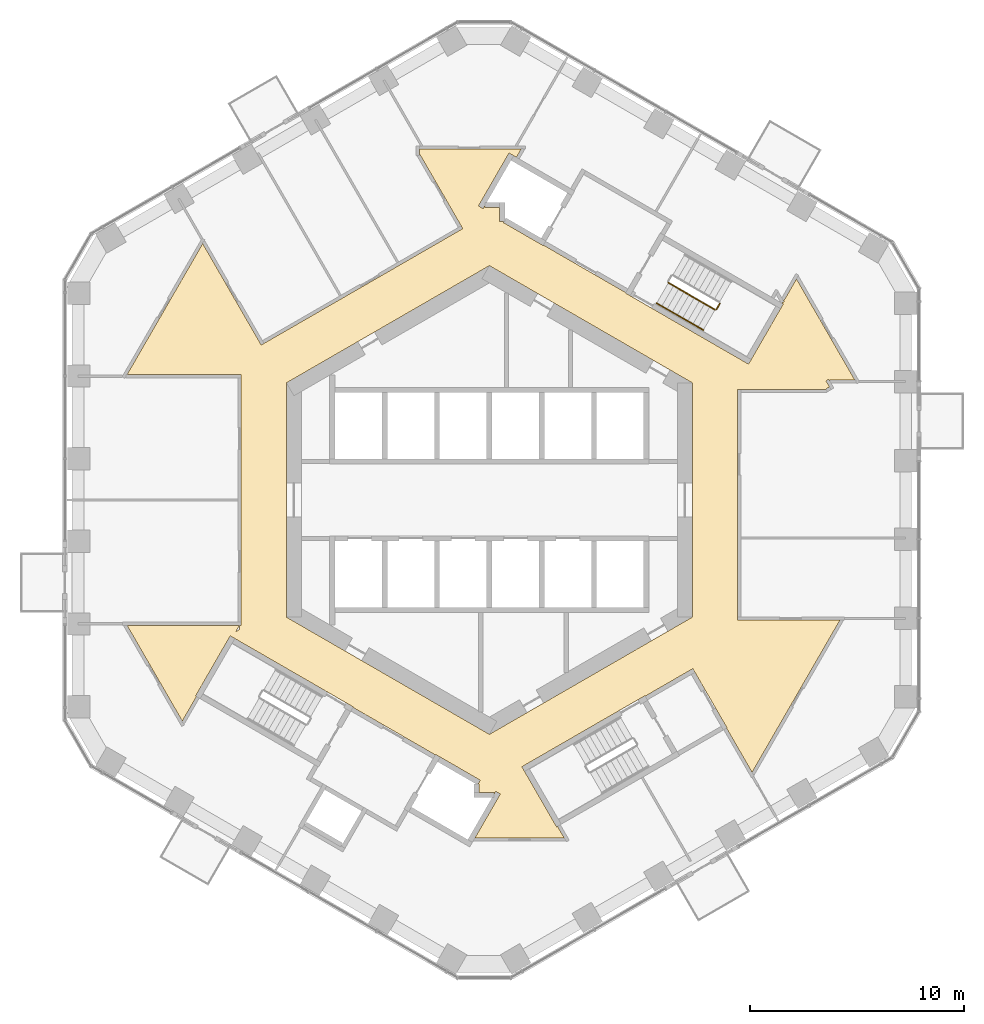
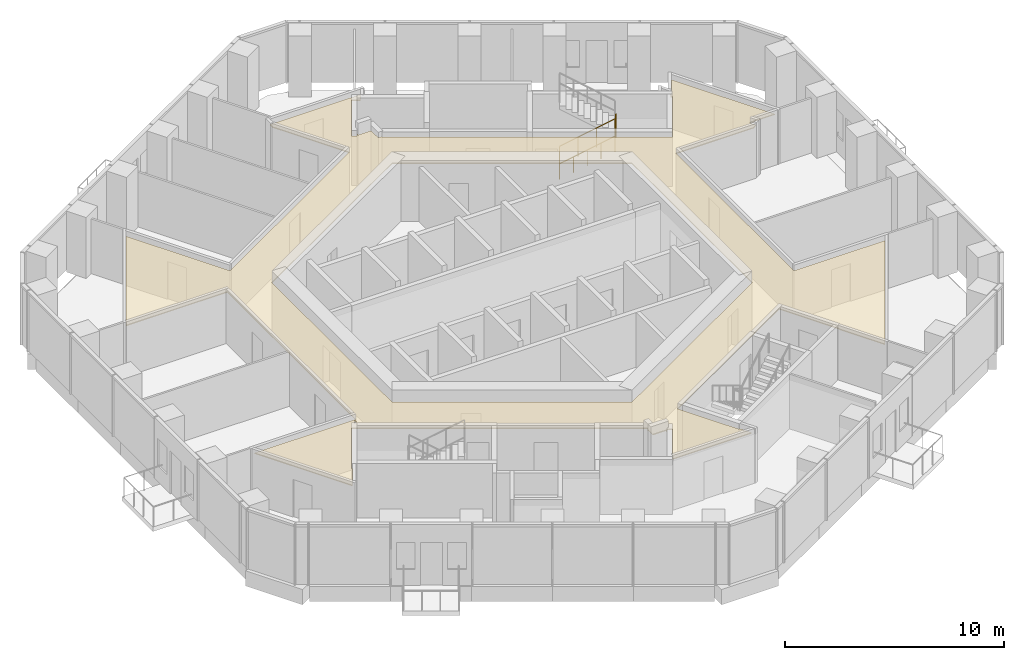
# One storey, part 19 of 20: 4 railings, 1 covering.
"""IFC4 building model written with IfcOpenShell, lengths in metres."""

from ifc_helpers import new_model, si_unit, direction, frame, origin, origin_2d, place, context, subcontext, project, spatial, polyline, circle, outline, extrude, material, layer, layer_set, type_object, element, save


model = new_model("IFC4")

# Units and contexts
model_context = context("Model", 3, precision=1e-05, world=origin(), true_north=direction((0.0, 1.0)))
body_context = subcontext(model_context, "Body", "Model", "MODEL_VIEW")
ifc_project = project(units=[si_unit("LENGTHUNIT", "METRE"), si_unit("AREAUNIT", "SQUARE_METRE"), si_unit("VOLUMEUNIT", "CUBIC_METRE"), si_unit("PLANEANGLEUNIT", "RADIAN"), si_unit("MASSUNIT", "GRAM", prefix="KILO")], contexts=[model_context])

# Site, building, storey
site_placement = place(None, origin())
site = spatial("IfcSite", under=ifc_project, at=site_placement, CompositionType="ELEMENT")
building_placement = place(site_placement, origin())
building = spatial("IfcBuilding", under=site, at=building_placement, Name="Ayvan Gate Tower", CompositionType="ELEMENT")
storey_placement = place(building_placement, frame((0.0, 0.0, 96.699951171875)))
storey = spatial("IfcBuildingStorey", under=building, at=storey_placement, Name="L25", CompositionType="ELEMENT", Elevation=96.699951171875)

# Covering
ifc_material_1 = material(Name="Plasterboard suspended ceiling")
ifc_layer = layer(ifc_material_1, 0.050048828125)
ifc_layer_set = layer_set([ifc_layer], Name="Plasterboard suspended ceiling")
covering_type = type_object("IfcCoveringType", Name="CT-SUSP-50", PredefinedType="CEILING", material=ifc_layer_set)
covering_placement = place(storey_placement, frame((0.0, 0.0, 2.699951171875)))
element("IfcCovering", 1, at=covering_placement, inside=storey, type_object=covering_type, Name="Ceiling Ring Corridor L25", PredefinedType="CEILING", context=body_context, shape_type="SweptSolid", body=[
    extrude(outline(polyline([(-11.914794921875, -6.48681640625), (-12.131103515625, -6.36181640625), (-13.756103515625, -9.17626953125), (-13.712890625, -9.201416015625), (-14.37548828125, -10.348876953125), (-16.96240234375, -5.867919921875), (-11.70166015625, -5.867919921875), (-11.870849609375, -6.160888671875), (-11.699951171875, -6.062255859375), (-11.699951171875, -5.867919921875), (-11.625, -5.867919921875), (-11.625, 5.867919921875), (-16.96240234375, 5.867919921875), (-13.420654296875, 12.002685546875), (-10.6806640625, 7.2568359375), (-10.568115234375, 7.322021484375), (-1.247314453125, 12.703125), (-1.322509765625, 12.8330078125), (-3.24755859375, 16.16748046875), (-3.27490234375, 16.151611328125), (-3.27490234375, 16.4248046875), (1.486572265625, 16.4248046875), (1.265380859375, 16.04150390625), (1.135498046875, 16.116455078125), (0.918701171875, 16.241455078125), (-0.511474609375, 13.76416015625), (-0.294921875, 13.63916015625), (-0.215576171875, 13.776611328125), (-0.215576171875, 13.68505859375), (0.47509765625, 13.68505859375), (0.47509765625, 13.03857421875), (0.672119140625, 13.03857421875), (0.645751953125, 12.992919921875), (2.518310546875, 11.91162109375), (2.53076171875, 11.933349609375), (6.384521484375, 9.70849609375), (6.3720703125, 9.686767578125), (6.588623046875, 9.561767578125), (12.131103515625, 6.36181640625), (12.24609375, 6.56103515625), (13.631103515625, 8.959716796875), (13.756103515625, 9.176513671875), (13.681396484375, 9.219482421875), (13.7919921875, 9.283447265625), (13.744384765625, 9.365966796875), (13.7919921875, 9.33837890625), (14.37548828125, 10.348876953125), (17.104736328125, 5.621337890625), (15.93798828125, 5.621337890625), (15.93798828125, 5.56640625), (15.890625, 5.648681640625), (15.760498046875, 5.57373046875), (15.92138671875, 5.295166015625), (15.75439453125, 5.19873046875), (15.7705078125, 5.17138671875), (11.625, 5.17138671875), (11.625, -5.621337890625), (16.412109375, -5.621337890625), (12.296875, -12.748779296875), (11.102294921875, -10.6796875), (11.123779296875, -10.667236328125), (9.623779296875, -8.069091796875), (9.52392578125, -7.89599609375), (7.2939453125, -9.183349609375), (7.281494140625, -9.16162109375), (1.522216796875, -12.48681640625), (1.647216796875, -12.703369140625), (3.147216796875, -15.30126953125), (3.190673828125, -15.2763671875), (3.506591796875, -15.82373046875), (-0.677734375, -15.82373046875), (0.511474609375, -13.76416015625), (0.294921875, -13.63916015625), (0.215576171875, -13.776611328125), (0.215576171875, -13.68505859375), (-0.47509765625, -13.68505859375), (-0.47509765625, -13.28857421875), (-0.52783203125, -13.28857421875), (-0.42919921875, -13.117919921875), (-2.284423828125, -12.046630859375), (-2.518310546875, -11.91162109375), (-2.53076171875, -11.933349609375), (-6.384521484375, -9.70849609375), (-6.3720703125, -9.686767578125), (-11.91455078125, -6.48681640625), (-11.914794921875, -6.48681640625)]), holes=[polyline([(9.5, 5.48486328125), (8.771728515625, 5.9052734375), (0.0, 10.9697265625), (-8.771728515625, 5.9052734375), (-9.5, 5.48486328125), (-9.5, -5.48486328125), (-8.771728515625, -5.9052734375), (0.0, -10.9697265625), (8.38720703125, -6.127197265625), (8.771728515625, -5.9052734375), (9.5, -5.48486328125), (9.5, 5.48486328125)])]), origin(), (0.0, 0.0, 1.0), 0.050048828125),
])

# Railings
ifc_material_2 = material(Name="Stainless steel balustrade", Category="steel")
railing_type_1 = type_object("IfcRailingType", Name="RL-GUARD-1100", PredefinedType="GUARDRAIL", material=ifc_material_2)
railing_1_placement = place(storey_placement, frame((8.381103515625, 10.16650390625, 0.170166015625)))
element("IfcRailing", 2, at=railing_1_placement, inside=storey, type_object=railing_type_1, Name="L25 STS1 stair guard 1", PredefinedType="GUARDRAIL", context=body_context, shape_type="SweptSolid", body=[
    extrude(circle(Radius=0.02392578125, at=origin_2d()), frame((0.0, 0.0, 1.076171875), z_axis=(0.740292969978, -0.427413806696, 0.51892557891), x_axis=(0.500004791531, 0.866022637375, 0.0)), (0.0, 0.0, 1.0), 2.947998046875),
    extrude(circle(Radius=0.02099609375, at=origin_2d()), origin(), (0.0, 0.0, 1.0), 1.052001953125),
    extrude(circle(Radius=0.02099609375, at=origin_2d()), frame((0.7275390625, -0.419921875, 0.510009765625)), (0.0, 0.0, 1.0), 1.052001953125),
    extrude(circle(Radius=0.02099609375, at=origin_2d()), frame((1.454833984375, -0.840087890625, 1.019775390625)), (0.0, 0.0, 1.0), 1.052001953125),
    extrude(circle(Radius=0.02099609375, at=origin_2d()), frame((2.182373046875, -1.260009765625, 1.52978515625)), (0.0, 0.0, 1.0), 1.052001953125),
])
railing_2_placement = place(storey_placement, frame((10.6318359375, 8.9248046875, 1.699951171875)))
element("IfcRailing", 3, at=railing_2_placement, inside=storey, type_object=railing_type_1, Name="L25 STS1 stair guard 2", PredefinedType="GUARDRAIL", context=body_context, shape_type="SweptSolid", body=[
    extrude(circle(Radius=0.02392578125, at=origin_2d()), frame((0.0, 0.0, 1.076171875), z_axis=(0.499949632511, 0.866054481515, 0.0), x_axis=(-0.866054481515, 0.499949632511, 0.0)), (0.0, 0.0, 1.0), 0.31005859375),
    extrude(circle(Radius=0.02099609375, at=origin_2d()), origin(), (0.0, 0.0, 1.0), 1.052001953125),
    extrude(circle(Radius=0.02099609375, at=origin_2d()), frame((0.155029296875, 0.2685546875, 0.0)), (0.0, 0.0, 1.0), 1.052001953125),
])
railing_type_2 = type_object("IfcRailingType", Name="RL-HANDRAIL-900", PredefinedType="HANDRAIL", material=ifc_material_2)
railing_3_placement = place(storey_placement, frame((7.8310546875, 9.2138671875, 0.170166015625)))
element("IfcRailing", 4, at=railing_3_placement, inside=storey, type_object=railing_type_2, Name="L25 STS1 stair handrail 1", PredefinedType="HANDRAIL", context=body_context, shape_type="SweptSolid", body=[
    extrude(circle(Radius=0.02392578125, at=origin_2d()), frame((0.0, 0.0, 0.8759765625), z_axis=(0.740356597536, -0.427319915356, 0.518912129772), x_axis=(0.499890179513, 0.866088799389, 0.0)), (0.0, 0.0, 1.0), 1.47412109375),
    extrude(circle(Radius=0.02099609375, at=origin_2d()), origin(), (0.0, 0.0, 1.0), 0.851806640625),
    extrude(circle(Radius=0.02099609375, at=origin_2d()), frame((0.545654296875, -0.31494140625, 0.38232421875)), (0.0, 0.0, 1.0), 0.851806640625),
    extrude(circle(Radius=0.02099609375, at=origin_2d()), frame((1.09130859375, -0.6298828125, 0.764892578125)), (0.0, 0.0, 1.0), 0.851806640625),
])
railing_4_placement = place(storey_placement, frame((8.92236328125, 8.583984375, 0.93505859375)))
element("IfcRailing", 5, at=railing_4_placement, inside=storey, type_object=railing_type_2, Name="L25 STS1 stair handrail 2", PredefinedType="HANDRAIL", context=body_context, shape_type="SweptSolid", body=[
    extrude(circle(Radius=0.02392578125, at=origin_2d()), frame((0.0, 0.0, 0.8759765625), z_axis=(0.740229329464, -0.427507697325, 0.518939021976), x_axis=(0.50011940292, 0.865956455501, 0.0)), (0.0, 0.0, 1.0), 1.473876953125),
    extrude(circle(Radius=0.02099609375, at=origin_2d()), origin(), (0.0, 0.0, 1.0), 0.851806640625),
    extrude(circle(Radius=0.02099609375, at=origin_2d()), frame((0.54541015625, -0.31494140625, 0.38232421875)), (0.0, 0.0, 1.0), 0.851806640625),
    extrude(circle(Radius=0.02099609375, at=origin_2d()), frame((1.091064453125, -0.630126953125, 0.764892578125)), (0.0, 0.0, 1.0), 0.851806640625),
])

save(model, "model.ifc")
